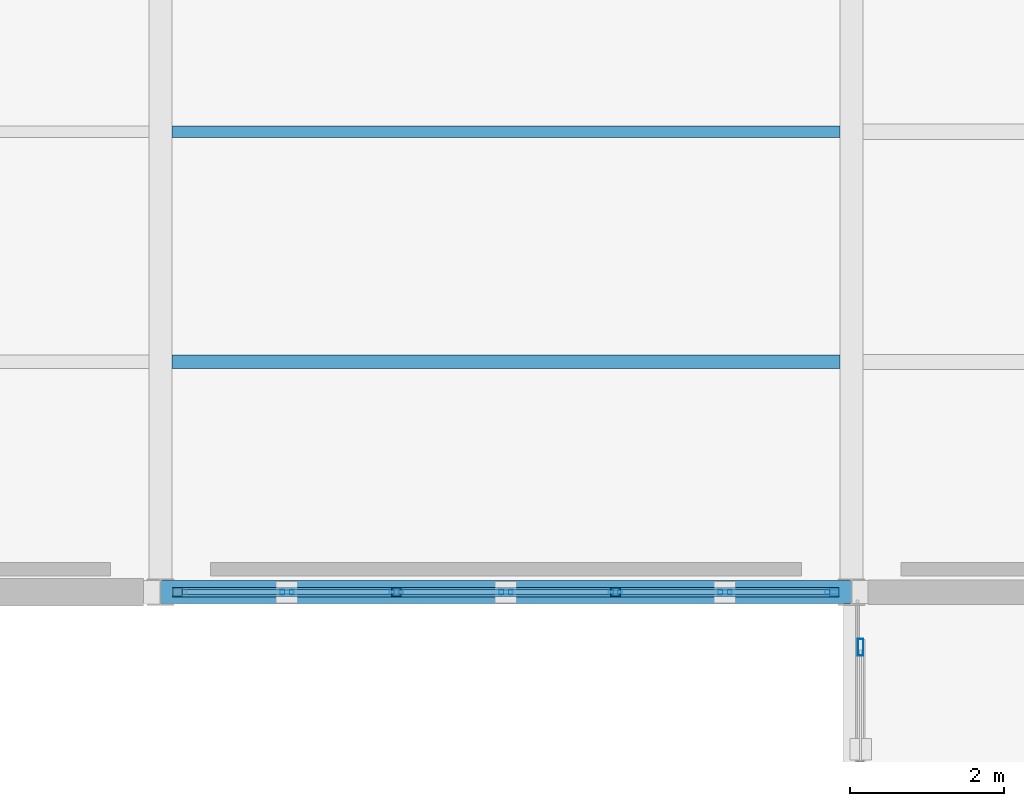
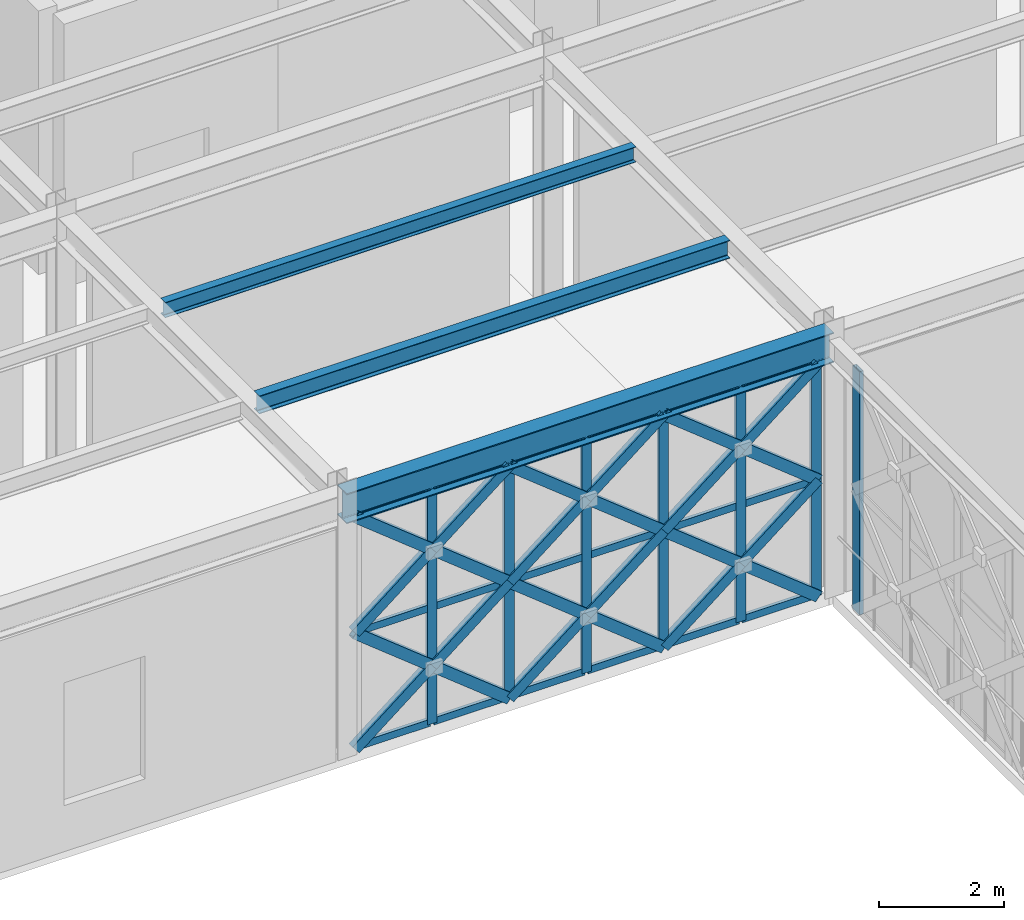
# One storey, part 111 of 166: 43 members, 3 beams, 2 elements without a shape of their own.
"""IFC4 building model written with IfcOpenShell, lengths in metres."""

from ifc_helpers import new_model, si_unit, direction, frame, origin, origin_2d, place, context, subcontext, project, spatial, hollow_rectangle, i_section, extrude, material, material_profile, profile_set, type_object, element, aggregate, save


model = new_model("IFC4")

# Units and contexts
model_context = context("Model", 3, precision=1e-05, world=origin(), true_north=direction((0.0, 1.0)))
body_context = subcontext(model_context, "Body", "Model", "MODEL_VIEW")
ifc_project = project(units=[si_unit("LENGTHUNIT", "METRE"), si_unit("AREAUNIT", "SQUARE_METRE"), si_unit("VOLUMEUNIT", "CUBIC_METRE"), si_unit("PLANEANGLEUNIT", "RADIAN"), si_unit("MASSUNIT", "GRAM", prefix="KILO")], contexts=[model_context])

# Site, building, storey
site_placement = place(None, origin())
site = spatial("IfcSite", under=ifc_project, at=site_placement, CompositionType="ELEMENT")
building_placement = place(site_placement, origin())
building = spatial("IfcBuilding", under=site, at=building_placement, Name="Haizhuo Lancet Aquarium", CompositionType="ELEMENT")
storey_placement = place(building_placement, frame((0.0, 0.0, 5.39990234375)))
storey = spatial("IfcBuildingStorey", under=building, at=storey_placement, Name="L01", CompositionType="ELEMENT", Elevation=5.39990234375)

# Beam
ifc_material_1 = material(Name="Steel S355", Category="steel")
ifc_material_profile_1 = material_profile(ifc_material_1, i_section(OverallWidth=0.300048828125, OverallDepth=0.587890625, WebThickness=0.011962890625, FlangeThickness=0.02001953125, FilletRadius=0.02587890625, at=origin_2d()), Name="HM 588x300x12x20")
ifc_profile_set_1 = profile_set([ifc_material_profile_1], Name="Steel S355")
beam_type_1 = type_object("IfcBeamType", Name="BM-ST-HM588", PredefinedType="BEAM", material=ifc_profile_set_1)
beam_1_placement = place(storey_placement, frame((45.0, 9.0, 4.84619140625), z_axis=(1.0, 0.0, 0.0), x_axis=(0.0, 1.0, 0.0)))
element("IfcBeam", 1, at=beam_1_placement, inside=storey, type_object=beam_type_1, Name="L01 V7 primary girder BM-L01-V7-009", PredefinedType="BEAM", context=body_context, shape_type="SweptSolid", body=[
    extrude(i_section(OverallWidth=0.300048828125, OverallDepth=0.587890625, WebThickness=0.011962890625, FlangeThickness=0.02001953125, FilletRadius=0.02587890625, at=origin_2d()), origin(), (0.0, 0.0, 1.0), 9.0),
])

# Curtain wall, members
ifc_material_2 = material(Name="Aluminium 6063-T6", Category="aluminium")
curtain_wall_type_1 = type_object("IfcCurtainWallType", Name="CWO-8560x4550", PredefinedType="NOTDEFINED", material=ifc_material_2)
curtain_wall_1_placement = place(storey_placement, origin())
curtain_wall_1 = element("IfcCurtainWall", 2, at=curtain_wall_1_placement, inside=storey, type_object=curtain_wall_type_1, Name="L01 curtain wall CW-V7-L01-292", PredefinedType="NOTDEFINED")
ifc_material_profile_2 = material_profile(ifc_material_2, hollow_rectangle(XDim=0.06494140625, YDim=0.179931640625, WallThickness=0.00390625, at=origin_2d()), Name="ALU-M 65x180x4")
ifc_profile_set_2 = profile_set([ifc_material_profile_2], Name="Aluminium 6063-T6")
member_type_1 = type_object("IfcMemberType", Name="CW-MUL-1", PredefinedType="MULLION", material=ifc_profile_set_2)
member_1_placement = place(storey_placement, frame((53.748046875, 9.0, 0.0), z_axis=(0.0, 0.0, 1.0), x_axis=(0.0, -1.0, 0.0)))
member_1 = element("IfcMember", 3, at=member_1_placement, type_object=member_type_1, Name="CWO-85x45 mullion 1", PredefinedType="MULLION", context=body_context, shape_type="SweptSolid", body=[
    extrude(hollow_rectangle(XDim=0.06494140625, YDim=0.179931640625, WallThickness=0.00390625, at=origin_2d()), origin(), (0.0, 0.0, 1.0), 4.552001953125),
])
member_2_placement = place(storey_placement, frame((52.35302734375, 9.0, 0.0), z_axis=(0.0, 0.0, 1.0), x_axis=(0.0, -1.0, 0.0)))
member_2 = element("IfcMember", 4, at=member_2_placement, type_object=member_type_1, Name="CWO-85x45 mullion 2", PredefinedType="MULLION", context=body_context, shape_type="SweptSolid", body=[
    extrude(hollow_rectangle(XDim=0.06494140625, YDim=0.179931640625, WallThickness=0.00390625, at=origin_2d()), origin(), (0.0, 0.0, 1.0), 4.552001953125),
])
member_3_placement = place(storey_placement, frame((50.927001953125, 9.0, 0.0), z_axis=(0.0, 0.0, 1.0), x_axis=(0.0, -1.0, 0.0)))
member_3 = element("IfcMember", 5, at=member_3_placement, type_object=member_type_1, Name="CWO-85x45 mullion 3", PredefinedType="MULLION", context=body_context, shape_type="SweptSolid", body=[
    extrude(hollow_rectangle(XDim=0.06494140625, YDim=0.179931640625, WallThickness=0.00390625, at=origin_2d()), origin(), (0.0, 0.0, 1.0), 4.552001953125),
])
member_4_placement = place(storey_placement, frame((49.5, 9.0, 0.0), z_axis=(0.0, 0.0, 1.0), x_axis=(0.0, -1.0, 0.0)))
member_4 = element("IfcMember", 6, at=member_4_placement, type_object=member_type_1, Name="CWO-85x45 mullion 4", PredefinedType="MULLION", context=body_context, shape_type="SweptSolid", body=[
    extrude(hollow_rectangle(XDim=0.06494140625, YDim=0.179931640625, WallThickness=0.00390625, at=origin_2d()), origin(), (0.0, 0.0, 1.0), 4.552001953125),
])
member_5_placement = place(storey_placement, frame((48.072998046875, 9.0, 0.0), z_axis=(0.0, 0.0, 1.0), x_axis=(0.0, -1.0, 0.0)))
member_5 = element("IfcMember", 7, at=member_5_placement, type_object=member_type_1, Name="CWO-85x45 mullion 5", PredefinedType="MULLION", context=body_context, shape_type="SweptSolid", body=[
    extrude(hollow_rectangle(XDim=0.06494140625, YDim=0.179931640625, WallThickness=0.00390625, at=origin_2d()), origin(), (0.0, 0.0, 1.0), 4.552001953125),
])
member_6_placement = place(storey_placement, frame((46.64697265625, 9.0, 0.0), z_axis=(0.0, 0.0, 1.0), x_axis=(0.0, -1.0, 0.0)))
member_6 = element("IfcMember", 8, at=member_6_placement, type_object=member_type_1, Name="CWO-85x45 mullion 6", PredefinedType="MULLION", context=body_context, shape_type="SweptSolid", body=[
    extrude(hollow_rectangle(XDim=0.06494140625, YDim=0.179931640625, WallThickness=0.00390625, at=origin_2d()), origin(), (0.0, 0.0, 1.0), 4.552001953125),
])

# Curtain wall, member
curtain_wall_type_2 = type_object("IfcCurtainWallType", Name="CWO-8200x4750", PredefinedType="NOTDEFINED", material=ifc_material_2)
curtain_wall_2_placement = place(storey_placement, origin())
curtain_wall_2 = element("IfcCurtainWall", 9, at=curtain_wall_2_placement, inside=storey, type_object=curtain_wall_type_2, Name="L01 curtain wall CW-SB-02-W2", PredefinedType="NOTDEFINED")
ifc_material_profile_3 = material_profile(ifc_material_2, hollow_rectangle(XDim=0.074951171875, YDim=0.219970703125, WallThickness=0.0048828125, at=origin_2d()), Name="ALU-M 75x220x5")
ifc_profile_set_3 = profile_set([ifc_material_profile_3], Name="Aluminium 6063-T6")
member_type_2 = type_object("IfcMemberType", Name="CW-MUL-2", PredefinedType="MULLION", material=ifc_profile_set_3)
member_7_placement = place(storey_placement, frame((54.1201171875, 8.282958984375, 0.0), z_axis=(0.0, 0.0, 1.0), x_axis=(-1.0, 0.0, 0.0)))
member_7 = element("IfcMember", 10, at=member_7_placement, type_object=member_type_2, Name="CWO-82x47 mullion 6", PredefinedType="MULLION", context=body_context, shape_type="SweptSolid", body=[
    extrude(hollow_rectangle(XDim=0.074951171875, YDim=0.219970703125, WallThickness=0.0048828125, at=origin_2d()), origin(), (0.0, 0.0, 1.0), 4.75),
])
aggregate(curtain_wall_2, [member_7])

# Member
ifc_material_profile_4 = material_profile(ifc_material_2, hollow_rectangle(XDim=0.06494140625, YDim=0.139892578125, WallThickness=0.00390625, at=origin_2d()), Name="ALU-T 65x140x4")
ifc_profile_set_4 = profile_set([ifc_material_profile_4], Name="Aluminium 6063-T6")
member_type_3 = type_object("IfcMemberType", Name="CW-TRN-1", PredefinedType="NOTDEFINED", material=ifc_profile_set_4)
member_8_placement = place(storey_placement, frame((53.715087890625, 9.0, 0.033203125), z_axis=(-1.0, 0.0, 0.0), x_axis=(0.0, -1.0, 0.0)))
member_8 = element("IfcMember", 11, at=member_8_placement, type_object=member_type_3, Name="CWO-85x45 transom 1.1", ObjectType="TRANSOM", PredefinedType="USERDEFINED", context=body_context, shape_type="SweptSolid", body=[
    extrude(hollow_rectangle(XDim=0.06494140625, YDim=0.139892578125, WallThickness=0.00390625, at=origin_2d()), origin(), (0.0, 0.0, 1.0), 1.3291015625),
])

member_9_placement = place(storey_placement, frame((53.715087890625, 9.0, 2.276123046875), z_axis=(-1.0, 0.0, 0.0), x_axis=(0.0, -1.0, 0.0)))
member_9 = element("IfcMember", 12, at=member_9_placement, type_object=member_type_3, Name="CWO-85x45 transom 1.2", ObjectType="TRANSOM", PredefinedType="USERDEFINED", context=body_context, shape_type="SweptSolid", body=[
    extrude(hollow_rectangle(XDim=0.06494140625, YDim=0.139892578125, WallThickness=0.00390625, at=origin_2d()), origin(), (0.0, 0.0, 1.0), 1.3291015625),
])

member_10_placement = place(storey_placement, frame((53.715087890625, 9.0, 4.51904296875), z_axis=(-1.0, 0.0, 0.0), x_axis=(0.0, -1.0, 0.0)))
member_10 = element("IfcMember", 13, at=member_10_placement, type_object=member_type_3, Name="CWO-85x45 transom 1.3", ObjectType="TRANSOM", PredefinedType="USERDEFINED", context=body_context, shape_type="SweptSolid", body=[
    extrude(hollow_rectangle(XDim=0.06494140625, YDim=0.139892578125, WallThickness=0.00390625, at=origin_2d()), origin(), (0.0, 0.0, 1.0), 1.3291015625),
])

member_11_placement = place(storey_placement, frame((52.321044921875, 9.0, 0.033203125), z_axis=(-1.0, 0.0, 0.0), x_axis=(0.0, -1.0, 0.0)))
member_11 = element("IfcMember", 14, at=member_11_placement, type_object=member_type_3, Name="CWO-85x45 transom 2.1", ObjectType="TRANSOM", PredefinedType="USERDEFINED", context=body_context, shape_type="SweptSolid", body=[
    extrude(hollow_rectangle(XDim=0.06494140625, YDim=0.139892578125, WallThickness=0.00390625, at=origin_2d()), origin(), (0.0, 0.0, 1.0), 1.362060546875),
])

member_12_placement = place(storey_placement, frame((52.321044921875, 9.0, 2.276123046875), z_axis=(-1.0, 0.0, 0.0), x_axis=(0.0, -1.0, 0.0)))
member_12 = element("IfcMember", 15, at=member_12_placement, type_object=member_type_3, Name="CWO-85x45 transom 2.2", ObjectType="TRANSOM", PredefinedType="USERDEFINED", context=body_context, shape_type="SweptSolid", body=[
    extrude(hollow_rectangle(XDim=0.06494140625, YDim=0.139892578125, WallThickness=0.00390625, at=origin_2d()), origin(), (0.0, 0.0, 1.0), 1.362060546875),
])

member_13_placement = place(storey_placement, frame((52.321044921875, 9.0, 4.51904296875), z_axis=(-1.0, 0.0, 0.0), x_axis=(0.0, -1.0, 0.0)))
member_13 = element("IfcMember", 16, at=member_13_placement, type_object=member_type_3, Name="CWO-85x45 transom 2.3", ObjectType="TRANSOM", PredefinedType="USERDEFINED", context=body_context, shape_type="SweptSolid", body=[
    extrude(hollow_rectangle(XDim=0.06494140625, YDim=0.139892578125, WallThickness=0.00390625, at=origin_2d()), origin(), (0.0, 0.0, 1.0), 1.362060546875),
])

member_14_placement = place(storey_placement, frame((50.89404296875, 9.0, 0.033203125), z_axis=(-1.0, 0.0, 0.0), x_axis=(0.0, -1.0, 0.0)))
member_14 = element("IfcMember", 17, at=member_14_placement, type_object=member_type_3, Name="CWO-85x45 transom 3.1", ObjectType="TRANSOM", PredefinedType="USERDEFINED", context=body_context, shape_type="SweptSolid", body=[
    extrude(hollow_rectangle(XDim=0.06494140625, YDim=0.139892578125, WallThickness=0.00390625, at=origin_2d()), origin(), (0.0, 0.0, 1.0), 1.362060546875),
])

member_15_placement = place(storey_placement, frame((50.89404296875, 9.0, 2.276123046875), z_axis=(-1.0, 0.0, 0.0), x_axis=(0.0, -1.0, 0.0)))
member_15 = element("IfcMember", 18, at=member_15_placement, type_object=member_type_3, Name="CWO-85x45 transom 3.2", ObjectType="TRANSOM", PredefinedType="USERDEFINED", context=body_context, shape_type="SweptSolid", body=[
    extrude(hollow_rectangle(XDim=0.06494140625, YDim=0.139892578125, WallThickness=0.00390625, at=origin_2d()), origin(), (0.0, 0.0, 1.0), 1.362060546875),
])

member_16_placement = place(storey_placement, frame((50.89404296875, 9.0, 4.51904296875), z_axis=(-1.0, 0.0, 0.0), x_axis=(0.0, -1.0, 0.0)))
member_16 = element("IfcMember", 19, at=member_16_placement, type_object=member_type_3, Name="CWO-85x45 transom 3.3", ObjectType="TRANSOM", PredefinedType="USERDEFINED", context=body_context, shape_type="SweptSolid", body=[
    extrude(hollow_rectangle(XDim=0.06494140625, YDim=0.139892578125, WallThickness=0.00390625, at=origin_2d()), origin(), (0.0, 0.0, 1.0), 1.362060546875),
])

member_17_placement = place(storey_placement, frame((49.468017578125, 9.0, 0.033203125), z_axis=(-1.0, 0.0, 0.0), x_axis=(0.0, -1.0, 0.0)))
member_17 = element("IfcMember", 20, at=member_17_placement, type_object=member_type_3, Name="CWO-85x45 transom 4.1", ObjectType="TRANSOM", PredefinedType="USERDEFINED", context=body_context, shape_type="SweptSolid", body=[
    extrude(hollow_rectangle(XDim=0.06494140625, YDim=0.139892578125, WallThickness=0.00390625, at=origin_2d()), origin(), (0.0, 0.0, 1.0), 1.362060546875),
])

member_18_placement = place(storey_placement, frame((49.468017578125, 9.0, 2.276123046875), z_axis=(-1.0, 0.0, 0.0), x_axis=(0.0, -1.0, 0.0)))
member_18 = element("IfcMember", 21, at=member_18_placement, type_object=member_type_3, Name="CWO-85x45 transom 4.2", ObjectType="TRANSOM", PredefinedType="USERDEFINED", context=body_context, shape_type="SweptSolid", body=[
    extrude(hollow_rectangle(XDim=0.06494140625, YDim=0.139892578125, WallThickness=0.00390625, at=origin_2d()), origin(), (0.0, 0.0, 1.0), 1.362060546875),
])

member_19_placement = place(storey_placement, frame((49.468017578125, 9.0, 4.51904296875), z_axis=(-1.0, 0.0, 0.0), x_axis=(0.0, -1.0, 0.0)))
member_19 = element("IfcMember", 22, at=member_19_placement, type_object=member_type_3, Name="CWO-85x45 transom 4.3", ObjectType="TRANSOM", PredefinedType="USERDEFINED", context=body_context, shape_type="SweptSolid", body=[
    extrude(hollow_rectangle(XDim=0.06494140625, YDim=0.139892578125, WallThickness=0.00390625, at=origin_2d()), origin(), (0.0, 0.0, 1.0), 1.362060546875),
])

member_20_placement = place(storey_placement, frame((48.041015625, 9.0, 0.033203125), z_axis=(-1.0, 0.0, 0.0), x_axis=(0.0, -1.0, 0.0)))
member_20 = element("IfcMember", 23, at=member_20_placement, type_object=member_type_3, Name="CWO-85x45 transom 5.1", ObjectType="TRANSOM", PredefinedType="USERDEFINED", context=body_context, shape_type="SweptSolid", body=[
    extrude(hollow_rectangle(XDim=0.06494140625, YDim=0.139892578125, WallThickness=0.00390625, at=origin_2d()), origin(), (0.0, 0.0, 1.0), 1.362060546875),
])

member_21_placement = place(storey_placement, frame((48.041015625, 9.0, 2.276123046875), z_axis=(-1.0, 0.0, 0.0), x_axis=(0.0, -1.0, 0.0)))
member_21 = element("IfcMember", 24, at=member_21_placement, type_object=member_type_3, Name="CWO-85x45 transom 5.2", ObjectType="TRANSOM", PredefinedType="USERDEFINED", context=body_context, shape_type="SweptSolid", body=[
    extrude(hollow_rectangle(XDim=0.06494140625, YDim=0.139892578125, WallThickness=0.00390625, at=origin_2d()), origin(), (0.0, 0.0, 1.0), 1.362060546875),
])

member_22_placement = place(storey_placement, frame((48.041015625, 9.0, 4.51904296875), z_axis=(-1.0, 0.0, 0.0), x_axis=(0.0, -1.0, 0.0)))
member_22 = element("IfcMember", 25, at=member_22_placement, type_object=member_type_3, Name="CWO-85x45 transom 5.3", ObjectType="TRANSOM", PredefinedType="USERDEFINED", context=body_context, shape_type="SweptSolid", body=[
    extrude(hollow_rectangle(XDim=0.06494140625, YDim=0.139892578125, WallThickness=0.00390625, at=origin_2d()), origin(), (0.0, 0.0, 1.0), 1.362060546875),
])

member_23_placement = place(storey_placement, frame((46.614013671875, 9.0, 0.033203125), z_axis=(-1.0, 0.0, 0.0), x_axis=(0.0, -1.0, 0.0)))
member_23 = element("IfcMember", 26, at=member_23_placement, type_object=member_type_3, Name="CWO-85x45 transom 6.1", ObjectType="TRANSOM", PredefinedType="USERDEFINED", context=body_context, shape_type="SweptSolid", body=[
    extrude(hollow_rectangle(XDim=0.06494140625, YDim=0.139892578125, WallThickness=0.00390625, at=origin_2d()), origin(), (0.0, 0.0, 1.0), 1.3291015625),
])

member_24_placement = place(storey_placement, frame((46.614013671875, 9.0, 2.276123046875), z_axis=(-1.0, 0.0, 0.0), x_axis=(0.0, -1.0, 0.0)))
member_24 = element("IfcMember", 27, at=member_24_placement, type_object=member_type_3, Name="CWO-85x45 transom 6.2", ObjectType="TRANSOM", PredefinedType="USERDEFINED", context=body_context, shape_type="SweptSolid", body=[
    extrude(hollow_rectangle(XDim=0.06494140625, YDim=0.139892578125, WallThickness=0.00390625, at=origin_2d()), origin(), (0.0, 0.0, 1.0), 1.3291015625),
])

member_25_placement = place(storey_placement, frame((46.614013671875, 9.0, 4.51904296875), z_axis=(-1.0, 0.0, 0.0), x_axis=(0.0, -1.0, 0.0)))
member_25 = element("IfcMember", 28, at=member_25_placement, type_object=member_type_3, Name="CWO-85x45 transom 6.3", ObjectType="TRANSOM", PredefinedType="USERDEFINED", context=body_context, shape_type="SweptSolid", body=[
    extrude(hollow_rectangle(XDim=0.06494140625, YDim=0.139892578125, WallThickness=0.00390625, at=origin_2d()), origin(), (0.0, 0.0, 1.0), 1.3291015625),
])

aggregate(curtain_wall_1, [member_1, member_2, member_3, member_4, member_5, member_6, member_8, member_9, member_10, member_11, member_12, member_13, member_14, member_15, member_16, member_17, member_18, member_19, member_20, member_21, member_22, member_23, member_24, member_25])

# Beams
ifc_material_profile_5 = material_profile(ifc_material_1, i_section(OverallWidth=0.14990234375, OverallDepth=0.300048828125, WebThickness=0.006591796875, FlangeThickness=0.009033203125, FilletRadius=0.012939453125, at=origin_2d()), Name="HN 300x150x6.5x9")
ifc_profile_set_5 = profile_set([ifc_material_profile_5], Name="Steel S355")
beam_type_2 = type_object("IfcBeamType", Name="JST-ST-HN300", PredefinedType="JOIST", material=ifc_profile_set_5)
beam_2_placement = place(storey_placement, frame((45.14990234375, 15.0, 4.989990234375), z_axis=(1.0, 0.0, 0.0), x_axis=(0.0, 1.0, 0.0)))
element("IfcBeam", 29, at=beam_2_placement, inside=storey, type_object=beam_type_2, Name="L01 V7 secondary floor joist 7", PredefinedType="JOIST", context=body_context, shape_type="SweptSolid", body=[
    extrude(i_section(OverallWidth=0.14990234375, OverallDepth=0.300048828125, WebThickness=0.006591796875, FlangeThickness=0.009033203125, FilletRadius=0.012939453125, at=origin_2d()), origin(), (0.0, 0.0, 1.0), 8.7001953125),
])
ifc_material_profile_6 = material_profile(ifc_material_1, i_section(OverallWidth=0.175048828125, OverallDepth=0.35009765625, WebThickness=0.007080078125, FlangeThickness=0.010986328125, FilletRadius=0.013916015625, at=origin_2d()), Name="HN 350x175x7x11")
ifc_profile_set_6 = profile_set([ifc_material_profile_6], Name="Steel S355")
beam_type_3 = type_object("IfcBeamType", Name="JST-ST-HN350", PredefinedType="JOIST", material=ifc_profile_set_6)
beam_3_placement = place(storey_placement, frame((45.14990234375, 12.0, 4.965087890625), z_axis=(1.0, 0.0, 0.0), x_axis=(0.0, 1.0, 0.0)))
element("IfcBeam", 30, at=beam_3_placement, inside=storey, type_object=beam_type_3, Name="L01 V7 secondary floor joist 6", PredefinedType="JOIST", context=body_context, shape_type="SweptSolid", body=[
    extrude(i_section(OverallWidth=0.175048828125, OverallDepth=0.35009765625, WebThickness=0.007080078125, FlangeThickness=0.010986328125, FilletRadius=0.013916015625, at=origin_2d()), origin(), (0.0, 0.0, 1.0), 8.7001953125),
])

# Members
ifc_material_profile_7 = material_profile(ifc_material_1, hollow_rectangle(XDim=0.1201171875, YDim=0.199951171875, WallThickness=0.008056640625, at=origin_2d()), Name="RHS 120x200x8")
ifc_profile_set_7 = profile_set([ifc_material_profile_7], Name="Steel S355")
member_type_4 = type_object("IfcMemberType", Name="MEM-LB-RHS120x200", PredefinedType="BRACE", material=ifc_profile_set_7)
member_26_placement = place(storey_placement, frame((53.780029296875, 9.0, 0.0), z_axis=(-0.781709971476, 0.0, 0.623642141372), x_axis=(0.0, -1.0, 0.0)))
element("IfcMember", 31, at=member_26_placement, inside=storey, type_object=member_type_4, Name="Gothic lancet continuous diagonal brace CW-V7-L01-292 1A", PredefinedType="BRACE", context=body_context, shape_type="SweptSolid", body=[
    extrude(hollow_rectangle(XDim=0.1201171875, YDim=0.199951171875, WallThickness=0.008056640625, at=origin_2d()), origin(), (0.0, 0.0, 1.0), 3.649658203125),
])
member_27_placement = place(storey_placement, frame((50.927001953125, 9.0, 0.0), z_axis=(0.78157325262, 0.0, 0.623813474356), x_axis=(0.0, 1.0, 0.0)))
element("IfcMember", 32, at=member_27_placement, inside=storey, type_object=member_type_4, Name="Gothic lancet split diagonal brace CW-V7-L01-292 1B1", PredefinedType="BRACE", context=body_context, shape_type="SweptSolid", body=[
    extrude(hollow_rectangle(XDim=0.1201171875, YDim=0.199951171875, WallThickness=0.008056640625, at=origin_2d()), origin(), (0.0, 0.0, 1.0), 1.824462890625),
])
member_28_placement = place(storey_placement, frame((52.35302734375, 9.0, 1.13818359375), z_axis=(0.781846607014, 0.0, 0.623470835807), x_axis=(0.0, 1.0, 0.0)))
element("IfcMember", 33, at=member_28_placement, inside=storey, type_object=member_type_4, Name="Gothic lancet split diagonal brace CW-V7-L01-292 1B2", PredefinedType="BRACE", context=body_context, shape_type="SweptSolid", body=[
    extrude(hollow_rectangle(XDim=0.1201171875, YDim=0.199951171875, WallThickness=0.008056640625, at=origin_2d()), origin(), (0.0, 0.0, 1.0), 1.8251953125),
])
member_29_placement = place(storey_placement, frame((53.780029296875, 9.0, 2.276123046875), z_axis=(-0.781742582524, 0.0, 0.623601262561), x_axis=(0.0, -1.0, 0.0)))
element("IfcMember", 34, at=member_29_placement, inside=storey, type_object=member_type_4, Name="Gothic lancet continuous diagonal brace CW-V7-L01-292 2A", PredefinedType="BRACE", context=body_context, shape_type="SweptSolid", body=[
    extrude(hollow_rectangle(XDim=0.1201171875, YDim=0.199951171875, WallThickness=0.008056640625, at=origin_2d()), origin(), (0.0, 0.0, 1.0), 3.649658203125),
])
member_30_placement = place(storey_placement, frame((50.927001953125, 9.0, 2.276123046875), z_axis=(0.781638492735, 0.0, 0.623731726526), x_axis=(0.0, 1.0, 0.0)))
element("IfcMember", 35, at=member_30_placement, inside=storey, type_object=member_type_4, Name="Gothic lancet split diagonal brace CW-V7-L01-292 2B1", PredefinedType="BRACE", context=body_context, shape_type="SweptSolid", body=[
    extrude(hollow_rectangle(XDim=0.1201171875, YDim=0.199951171875, WallThickness=0.008056640625, at=origin_2d()), origin(), (0.0, 0.0, 1.0), 1.824462890625),
])
member_31_placement = place(storey_placement, frame((52.35302734375, 9.0, 3.4140625), z_axis=(0.781846607014, 0.0, 0.623470835807), x_axis=(0.0, 1.0, 0.0)))
element("IfcMember", 36, at=member_31_placement, inside=storey, type_object=member_type_4, Name="Gothic lancet split diagonal brace CW-V7-L01-292 2B2", PredefinedType="BRACE", context=body_context, shape_type="SweptSolid", body=[
    extrude(hollow_rectangle(XDim=0.1201171875, YDim=0.199951171875, WallThickness=0.008056640625, at=origin_2d()), origin(), (0.0, 0.0, 1.0), 1.8251953125),
])
member_32_placement = place(storey_placement, frame((50.927001953125, 9.0, 0.0), z_axis=(-0.781814005267, 0.0, 0.623511716946), x_axis=(0.0, -1.0, 0.0)))
element("IfcMember", 37, at=member_32_placement, inside=storey, type_object=member_type_4, Name="Gothic lancet continuous diagonal brace CW-V7-L01-292 3A", PredefinedType="BRACE", context=body_context, shape_type="SweptSolid", body=[
    extrude(hollow_rectangle(XDim=0.1201171875, YDim=0.199951171875, WallThickness=0.008056640625, at=origin_2d()), origin(), (0.0, 0.0, 1.0), 3.650390625),
])
member_33_placement = place(storey_placement, frame((48.072998046875, 9.0, 0.0), z_axis=(0.781781404101, 0.0, 0.623552592972), x_axis=(0.0, 1.0, 0.0)))
element("IfcMember", 38, at=member_33_placement, inside=storey, type_object=member_type_4, Name="Gothic lancet split diagonal brace CW-V7-L01-292 3B1", PredefinedType="BRACE", context=body_context, shape_type="SweptSolid", body=[
    extrude(hollow_rectangle(XDim=0.1201171875, YDim=0.199951171875, WallThickness=0.008056640625, at=origin_2d()), origin(), (0.0, 0.0, 1.0), 1.825439453125),
])
member_34_placement = place(storey_placement, frame((49.5, 9.0, 1.13818359375), z_axis=(0.781846607014, 0.0, 0.623470835807), x_axis=(0.0, 1.0, 0.0)))
element("IfcMember", 39, at=member_34_placement, inside=storey, type_object=member_type_4, Name="Gothic lancet split diagonal brace CW-V7-L01-292 3B2", PredefinedType="BRACE", context=body_context, shape_type="SweptSolid", body=[
    extrude(hollow_rectangle(XDim=0.1201171875, YDim=0.199951171875, WallThickness=0.008056640625, at=origin_2d()), origin(), (0.0, 0.0, 1.0), 1.8251953125),
])
member_35_placement = place(storey_placement, frame((50.927001953125, 9.0, 2.276123046875), z_axis=(-0.781846607014, 0.0, 0.623470835807), x_axis=(0.0, -1.0, 0.0)))
element("IfcMember", 40, at=member_35_placement, inside=storey, type_object=member_type_4, Name="Gothic lancet continuous diagonal brace CW-V7-L01-292 4A", PredefinedType="BRACE", context=body_context, shape_type="SweptSolid", body=[
    extrude(hollow_rectangle(XDim=0.1201171875, YDim=0.199951171875, WallThickness=0.008056640625, at=origin_2d()), origin(), (0.0, 0.0, 1.0), 3.650390625),
])
for number, where, z_axis, x_axis, name in (
    (41, (48.072998046875, 9.0, 2.276123046875), (0.781846607014, 0.0, 0.623470835807), (0.0, 1.0, 0.0), "Gothic lancet split diagonal brace CW-V7-L01-292 4B1"),
    (42, (49.5, 9.0, 3.4140625), (0.781846607014, 0.0, 0.623470835807), (0.0, 1.0, 0.0), "Gothic lancet split diagonal brace CW-V7-L01-292 4B2"),
):
    element("IfcMember", number, at=place(storey_placement, frame(where, z_axis=z_axis, x_axis=x_axis)), inside=storey, type_object=member_type_4, Name=name, PredefinedType="BRACE", context=body_context, shape_type="SweptSolid", body=[
        extrude(hollow_rectangle(XDim=0.1201171875, YDim=0.199951171875, WallThickness=0.008056640625, at=origin_2d()), origin(), (0.0, 0.0, 1.0), 1.8251953125),
    ])
member_36_placement = place(storey_placement, frame((48.072998046875, 9.0, 0.0), z_axis=(-0.781709971476, 0.0, 0.623642141372), x_axis=(0.0, -1.0, 0.0)))
element("IfcMember", 43, at=member_36_placement, inside=storey, type_object=member_type_4, Name="Gothic lancet continuous diagonal brace CW-V7-L01-292 5A", PredefinedType="BRACE", context=body_context, shape_type="SweptSolid", body=[
    extrude(hollow_rectangle(XDim=0.1201171875, YDim=0.199951171875, WallThickness=0.008056640625, at=origin_2d()), origin(), (0.0, 0.0, 1.0), 3.649658203125),
])
member_37_placement = place(storey_placement, frame((45.219970703125, 9.0, 0.0), z_axis=(0.781781404101, 0.0, 0.623552592972), x_axis=(0.0, 1.0, 0.0)))
element("IfcMember", 44, at=member_37_placement, inside=storey, type_object=member_type_4, Name="Gothic lancet split diagonal brace CW-V7-L01-292 5B1", PredefinedType="BRACE", context=body_context, shape_type="SweptSolid", body=[
    extrude(hollow_rectangle(XDim=0.1201171875, YDim=0.199951171875, WallThickness=0.008056640625, at=origin_2d()), origin(), (0.0, 0.0, 1.0), 1.825439453125),
])
member_38_placement = place(storey_placement, frame((46.64697265625, 9.0, 1.13818359375), z_axis=(0.781638492735, 0.0, 0.623731726526), x_axis=(0.0, 1.0, 0.0)))
element("IfcMember", 45, at=member_38_placement, inside=storey, type_object=member_type_4, Name="Gothic lancet split diagonal brace CW-V7-L01-292 5B2", PredefinedType="BRACE", context=body_context, shape_type="SweptSolid", body=[
    extrude(hollow_rectangle(XDim=0.1201171875, YDim=0.199951171875, WallThickness=0.008056640625, at=origin_2d()), origin(), (0.0, 0.0, 1.0), 1.824462890625),
])
member_39_placement = place(storey_placement, frame((48.072998046875, 9.0, 2.276123046875), z_axis=(-0.781742582524, 0.0, 0.623601262561), x_axis=(0.0, -1.0, 0.0)))
element("IfcMember", 46, at=member_39_placement, inside=storey, type_object=member_type_4, Name="Gothic lancet continuous diagonal brace CW-V7-L01-292 6A", PredefinedType="BRACE", context=body_context, shape_type="SweptSolid", body=[
    extrude(hollow_rectangle(XDim=0.1201171875, YDim=0.199951171875, WallThickness=0.008056640625, at=origin_2d()), origin(), (0.0, 0.0, 1.0), 3.649658203125),
])
member_40_placement = place(storey_placement, frame((45.219970703125, 9.0, 2.276123046875), z_axis=(0.781846607014, 0.0, 0.623470835807), x_axis=(0.0, 1.0, 0.0)))
element("IfcMember", 47, at=member_40_placement, inside=storey, type_object=member_type_4, Name="Gothic lancet split diagonal brace CW-V7-L01-292 6B1", PredefinedType="BRACE", context=body_context, shape_type="SweptSolid", body=[
    extrude(hollow_rectangle(XDim=0.1201171875, YDim=0.199951171875, WallThickness=0.008056640625, at=origin_2d()), origin(), (0.0, 0.0, 1.0), 1.8251953125),
])
member_41_placement = place(storey_placement, frame((46.64697265625, 9.0, 3.4140625), z_axis=(0.781638492735, 0.0, 0.623731726526), x_axis=(0.0, 1.0, 0.0)))
element("IfcMember", 48, at=member_41_placement, inside=storey, type_object=member_type_4, Name="Gothic lancet split diagonal brace CW-V7-L01-292 6B2", PredefinedType="BRACE", context=body_context, shape_type="SweptSolid", body=[
    extrude(hollow_rectangle(XDim=0.1201171875, YDim=0.199951171875, WallThickness=0.008056640625, at=origin_2d()), origin(), (0.0, 0.0, 1.0), 1.824462890625),
])

save(model, "model.ifc")
